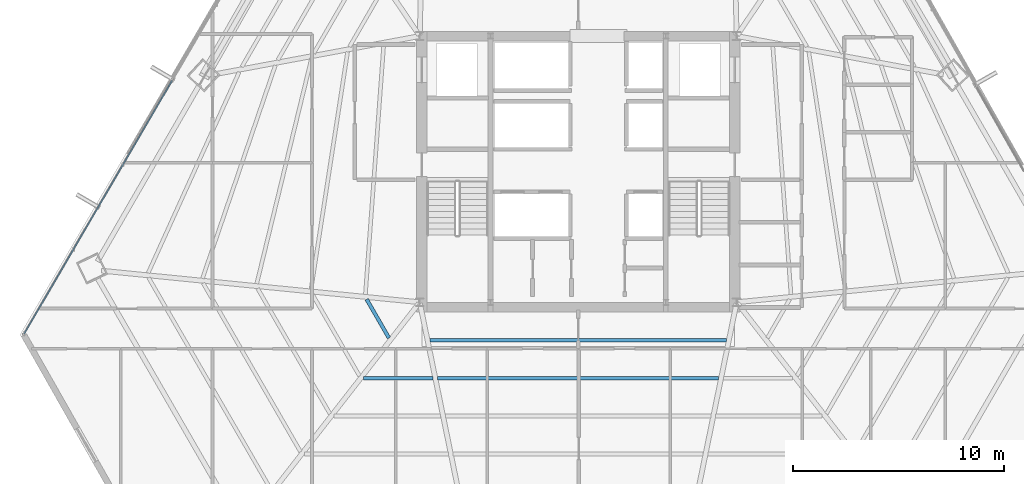
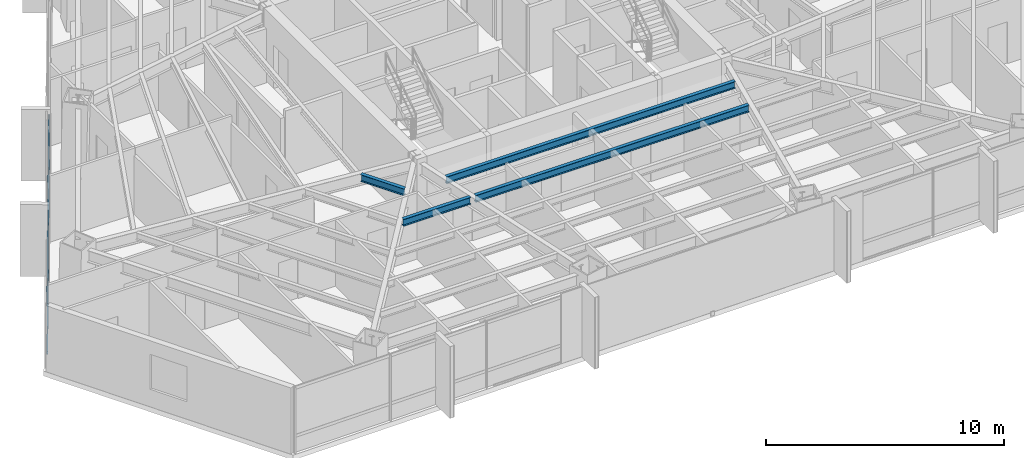
# One storey, part 11 of 37: 4 beams, 2 members, 1 element without a shape of its own.
"""IFC4 building model written with IfcOpenShell, lengths in metres."""

from ifc_helpers import new_model, si_unit, direction, frame, origin, origin_2d, place, context, subcontext, project, spatial, hollow_rectangle, i_section, extrude, source, transform, mapped, material, material_profile, profile_set, type_object, type_shapes, element, aggregate, save


model = new_model("IFC4")

# Units and contexts
model_context = context("Model", 3, precision=1e-05, world=origin(), true_north=direction((0.0, 1.0)))
body_context = subcontext(model_context, "Body", "Model", "MODEL_VIEW")
ifc_project = project(units=[si_unit("LENGTHUNIT", "METRE"), si_unit("AREAUNIT", "SQUARE_METRE"), si_unit("VOLUMEUNIT", "CUBIC_METRE"), si_unit("PLANEANGLEUNIT", "RADIAN"), si_unit("MASSUNIT", "GRAM", prefix="KILO")], contexts=[model_context])

# Site, building, storey
site_placement = place(None, origin())
site = spatial("IfcSite", under=ifc_project, at=site_placement, CompositionType="ELEMENT")
building_placement = place(site_placement, origin())
building = spatial("IfcBuilding", under=site, at=building_placement, Name="Caelisora Broadcast Tower", CompositionType="ELEMENT")
storey_placement = place(building_placement, frame((0.0, 0.0, 116.35009765625)))
storey = spatial("IfcBuildingStorey", under=building, at=storey_placement, Name="L30", CompositionType="ELEMENT", Elevation=116.35009765625)

# Beams
ifc_material_1 = material(Name="Steel Grade 350 (AS/NZS 3679.1)", Category="steel")
ifc_material_profile_1 = material_profile(ifc_material_1, i_section(OverallWidth=0.172119140625, OverallDepth=0.358642578125, WebThickness=0.008056640625, FlangeThickness=0.012939453125, at=origin_2d()), Name="Steel Grade 350 (AS/NZS 3679.1)")
ifc_profile_set_1 = profile_set([ifc_material_profile_1], Name="Steel Grade 350 (AS/NZS 3679.1)")
beam_type = type_object("IfcBeamType", Name="SB02", PredefinedType="JOIST", material=ifc_profile_set_1)
shared_shape_1 = source(origin(), body_context, "Body", "SweptSolid", [
    extrude(i_section(OverallWidth=0.172119140625, OverallDepth=0.358642578125, WebThickness=0.008056640625, FlangeThickness=0.012939453125, at=origin_2d()), origin(), (0.0, 0.0, 1.0), 2.11083984375),
])
beam_1_placement = place(storey_placement, frame((27.988525390625, 17.537109375, 3.220703125), z_axis=(0.499896002323, -0.866085438546, 0.0), x_axis=(0.866085438546, 0.499896002323, 0.0)))
element("IfcBeam", 1, at=beam_1_placement, inside=storey, type_object=beam_type, Name="L30 beam SB02", PredefinedType="JOIST", context=body_context, shape_type="MappedRepresentation", body=[
    mapped(shared_shape_1, transform((0.0, 0.0, 0.0), scale=1.0)),
])
shared_shape_2 = source(origin(), body_context, "Body", "SweptSolid", [
    extrude(i_section(OverallWidth=0.172119140625, OverallDepth=0.358642578125, WebThickness=0.008056640625, FlangeThickness=0.012939453125, at=origin_2d()), origin(), (0.0, 0.0, 1.0), 3.2734375),
])
beam_2_placement = place(storey_placement, frame((27.84912109375, 13.81005859375, 3.220703125), z_axis=(1.0, 0.0, 0.0), x_axis=(0.0, 1.0, 0.0)))
element("IfcBeam", 2, at=beam_2_placement, inside=storey, type_object=beam_type, Name="L30 beam SB02", PredefinedType="JOIST", context=body_context, shape_type="MappedRepresentation", body=[
    mapped(shared_shape_2, transform((0.0, 0.0, 0.0), scale=1.0)),
])
shared_shape_3 = source(origin(), body_context, "Body", "SweptSolid", [
    extrude(i_section(OverallWidth=0.172119140625, OverallDepth=0.358642578125, WebThickness=0.008056640625, FlangeThickness=0.012939453125, at=origin_2d()), origin(), (0.0, 0.0, 1.0), 14.03759765625),
])
beam_3_placement = place(storey_placement, frame((30.981201171875, 15.60498046875, 3.220703125), z_axis=(1.0, 0.0, 0.0), x_axis=(0.0, 1.0, 0.0)))
element("IfcBeam", 3, at=beam_3_placement, inside=storey, type_object=beam_type, Name="L30 beam SB02", PredefinedType="JOIST", context=body_context, shape_type="MappedRepresentation", body=[
    mapped(shared_shape_3, transform((0.0, 0.0, 0.0), scale=1.0)),
])
shared_shape_4 = source(origin(), body_context, "Body", "SweptSolid", [
    extrude(i_section(OverallWidth=0.172119140625, OverallDepth=0.358642578125, WebThickness=0.008056640625, FlangeThickness=0.012939453125, at=origin_2d()), origin(), (0.0, 0.0, 1.0), 13.30126953125),
])
type_shapes(beam_type, [shared_shape_1, shared_shape_2, shared_shape_3, shared_shape_4])
beam_4_placement = place(storey_placement, frame((31.349365234375, 13.81005859375, 3.220703125), z_axis=(1.0, 0.0, 0.0), x_axis=(0.0, 1.0, 0.0)))
element("IfcBeam", 4, at=beam_4_placement, inside=storey, type_object=beam_type, Name="L30 beam SB02", PredefinedType="JOIST", context=body_context, shape_type="MappedRepresentation", body=[
    mapped(shared_shape_4, transform((0.0, 0.0, 0.0), scale=1.0)),
])

# Curtain wall, members
ifc_material_2 = material(Name="Unitised Aluminium and Low-E Glass Curtain Wall", Category="glass")
curtain_wall_type = type_object("IfcCurtainWallType", Name="CW-Z2", PredefinedType="NOTDEFINED", material=ifc_material_2)
curtain_wall_placement = place(storey_placement, origin())
curtain_wall = element("IfcCurtainWall", 5, at=curtain_wall_placement, inside=storey, type_object=curtain_wall_type, Name="L30 curtain wall CW-Z2", PredefinedType="NOTDEFINED")
ifc_material_3 = material(Name="Aluminium 6063-T6 Anodised Terracotta Bronze", Category="aluminium")
ifc_material_profile_2 = material_profile(ifc_material_3, hollow_rectangle(XDim=0.06005859375, YDim=0.14990234375, WallThickness=0.00341796875, at=origin_2d()), Name="Aluminium 6063-T6 Anodised Terracotta Bronze")
ifc_profile_set_2 = profile_set([ifc_material_profile_2], Name="Aluminium 6063-T6 Anodised Terracotta Bronze")
member_type = type_object("IfcMemberType", Name="CWT-02", PredefinedType="USERDEFINED", material=ifc_profile_set_2)
shared_shape_5 = source(origin(), body_context, "Body", "SweptSolid", [
    extrude(hollow_rectangle(XDim=0.06005859375, YDim=0.14990234375, WallThickness=0.00341796875, at=origin_2d()), origin(), (0.0, 0.0, 1.0), 13.89306640625),
])
type_shapes(member_type, [shared_shape_5])
member_1_placement = place(storey_placement, frame((11.7783203125, 15.9091796875, 0.849853515625), z_axis=(0.504467476082, 0.863430695294, 0.0), x_axis=(-0.863430695294, 0.504467476082, 0.0)))
member_1 = element("IfcMember", 6, at=member_1_placement, type_object=member_type, Name="L30-CW-B09 transom #1", ObjectType="TRANSOM", PredefinedType="USERDEFINED", context=body_context, shape_type="MappedRepresentation", body=[
    mapped(shared_shape_5, transform((0.0, 0.0, 0.0), scale=1.0)),
])
member_2_placement = place(storey_placement, frame((11.7783203125, 15.9091796875, 3.31982421875), z_axis=(0.504467476082, 0.863430695294, 0.0), x_axis=(-0.863430695294, 0.504467476082, 0.0)))
member_2 = element("IfcMember", 7, at=member_2_placement, type_object=member_type, Name="L30-CW-B09 transom #2", ObjectType="TRANSOM", PredefinedType="USERDEFINED", context=body_context, shape_type="MappedRepresentation", body=[
    mapped(shared_shape_5, transform((0.0, 0.0, 0.0), scale=1.0)),
])
aggregate(curtain_wall, [member_1, member_2])

save(model, "model.ifc")
